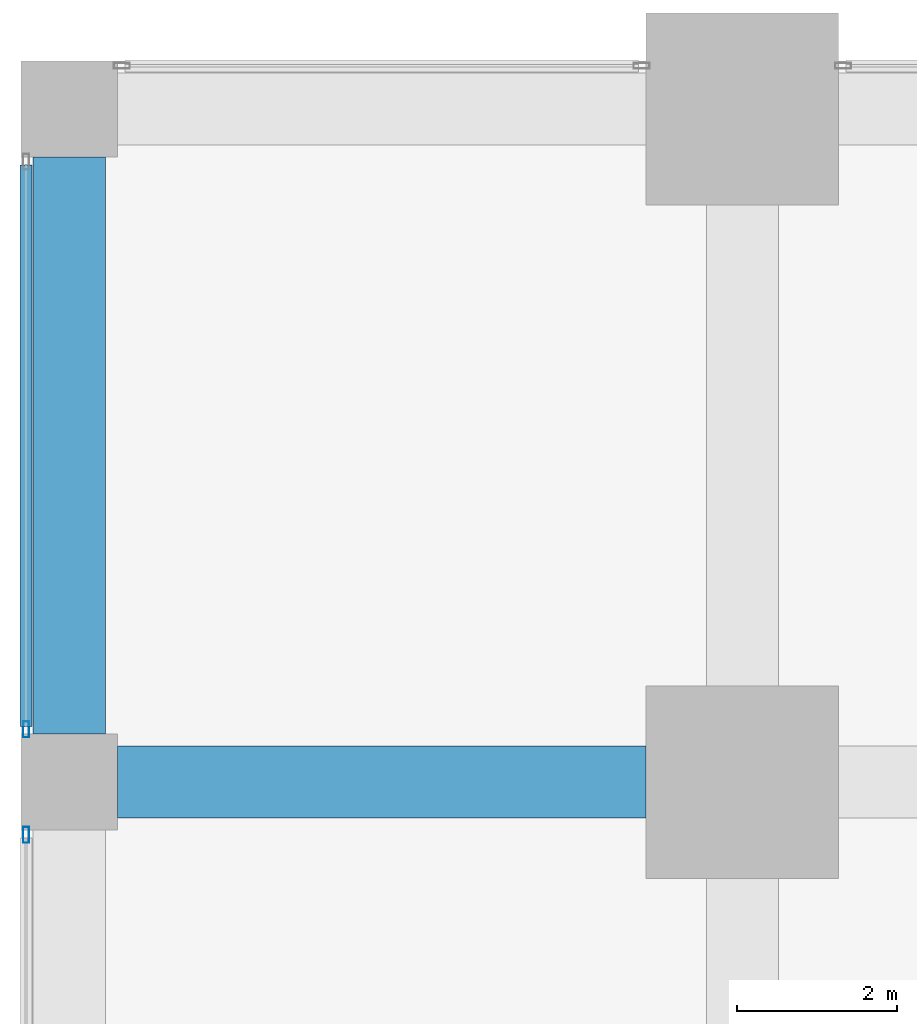
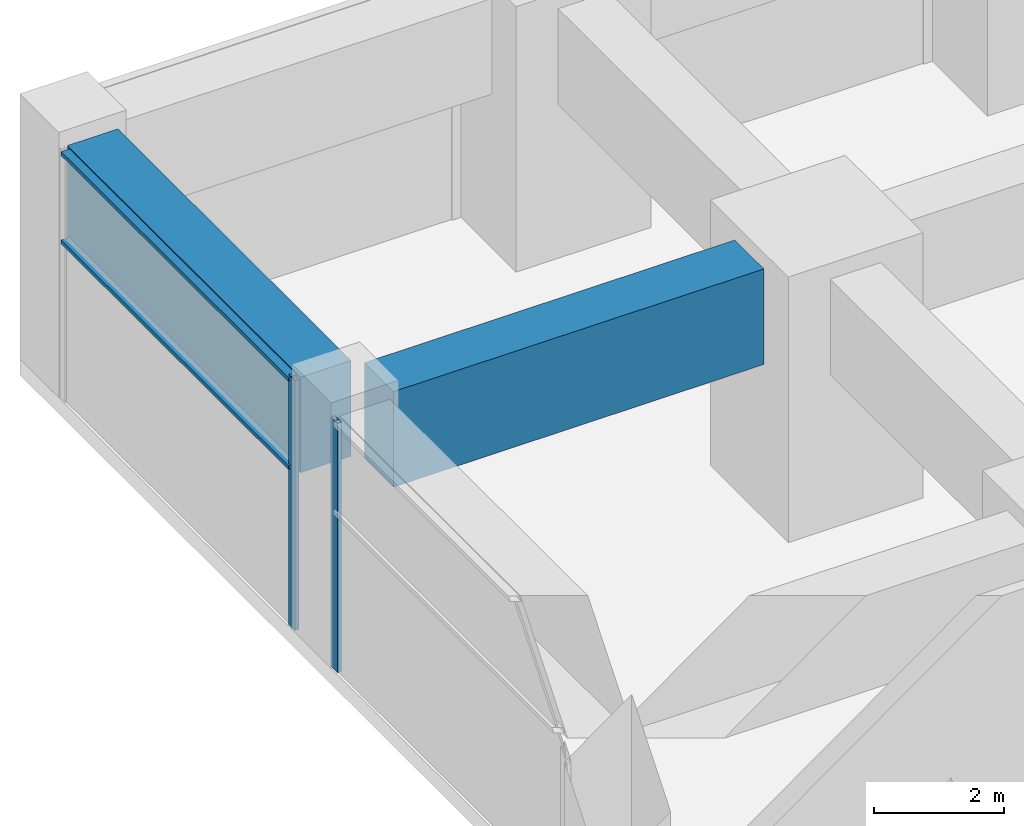
# One storey, part 21 of 48: 4 members, 2 beams, 2 elements without a shape of their own.
"""IFC4 building model written with IfcOpenShell, lengths in metres."""

from ifc_helpers import new_model, si_unit, direction, frame, origin, origin_2d, place, context, subcontext, project, spatial, rectangle, hollow_rectangle, extrude, material, material_profile, profile_set, type_object, element, aggregate, save


model = new_model("IFC4")

# Units and contexts
model_context = context("Model", 3, precision=1e-05, world=origin(), true_north=direction((0.0, 1.0)))
body_context = subcontext(model_context, "Body", "Model", "MODEL_VIEW")
ifc_project = project(units=[si_unit("LENGTHUNIT", "METRE"), si_unit("AREAUNIT", "SQUARE_METRE"), si_unit("VOLUMEUNIT", "CUBIC_METRE"), si_unit("PLANEANGLEUNIT", "RADIAN"), si_unit("MASSUNIT", "GRAM", prefix="KILO")], contexts=[model_context])

# Site, building, storey
site_placement = place(None, origin())
site = spatial("IfcSite", under=ifc_project, at=site_placement, CompositionType="ELEMENT")
building_placement = place(site_placement, origin())
building = spatial("IfcBuilding", under=site, at=building_placement, Name="Rekha Terrace Tower", CompositionType="ELEMENT")
storey_placement = place(building_placement, frame((0.0, 0.0, 15.39990234375)))
storey = spatial("IfcBuildingStorey", under=building, at=storey_placement, Name="L03", CompositionType="ELEMENT", Elevation=15.39990234375)

# Curtain wall, member
ifc_material_1 = material(Name="Aluminium framing", Category="aluminium")
curtain_wall_type = type_object("IfcCurtainWallType", Name="CW4 podium shopfront glazing", PredefinedType="USERDEFINED", material=ifc_material_1)
curtain_wall_1_placement = place(storey_placement, origin())
curtain_wall_1 = element("IfcCurtainWall", 1, at=curtain_wall_1_placement, inside=storey, type_object=curtain_wall_type, Name="CW4 shopfront curtain wall", ObjectType="SHOPFRONT CURTAIN WALL", PredefinedType="USERDEFINED")
ifc_material_2 = material(Name="Aluminium mullion section", Category="aluminium")
ifc_material_profile_1 = material_profile(ifc_material_2, hollow_rectangle(XDim=0.074951171875, YDim=0.199951171875, WallThickness=0.00390625, at=origin_2d()), Name="AL RHS 75x200")
ifc_profile_set_1 = profile_set([ifc_material_profile_1], Name="Aluminium mullion section")
member_type_1 = type_object("IfcMemberType", Name="CW4 mullion RHS 75 x 200", PredefinedType="MULLION", material=ifc_profile_set_1)
member_1_placement = place(storey_placement, frame((-0.5400390625, 51.0576171875, 0.0), z_axis=(0.0, 0.0, 1.0), x_axis=(1.0, 0.0, 0.0)))
member_1 = element("IfcMember", 2, at=member_1_placement, type_object=member_type_1, Name="CW4 mullion 2", PredefinedType="MULLION", context=body_context, shape_type="SweptSolid", body=[
    extrude(hollow_rectangle(XDim=0.074951171875, YDim=0.199951171875, WallThickness=0.00390625, at=origin_2d()), origin(), (0.0, 0.0, 1.0), 4.7001953125),
])

curtain_wall_2_placement = place(storey_placement, origin())
curtain_wall_2 = element("IfcCurtainWall", 3, at=curtain_wall_2_placement, inside=storey, type_object=curtain_wall_type, Name="CW4 shopfront curtain wall", ObjectType="SHOPFRONT CURTAIN WALL", PredefinedType="USERDEFINED")
member_2_placement = place(storey_placement, frame((-0.5400390625, 49.742431640625, 0.0), z_axis=(0.0, 0.0, 1.0), x_axis=(1.0, 0.0, 0.0)))
member_2 = element("IfcMember", 4, at=member_2_placement, type_object=member_type_1, Name="CW4 mullion 1", PredefinedType="MULLION", context=body_context, shape_type="SweptSolid", body=[
    extrude(hollow_rectangle(XDim=0.074951171875, YDim=0.199951171875, WallThickness=0.00390625, at=origin_2d()), origin(), (0.0, 0.0, 1.0), 4.7001953125),
])
aggregate(curtain_wall_2, [member_2])

# Member
ifc_material_3 = material(Name="Aluminium transom section", Category="aluminium")
ifc_material_profile_2 = material_profile(ifc_material_3, hollow_rectangle(XDim=0.14990234375, YDim=0.074951171875, WallThickness=0.0029296875, at=origin_2d()), Name="AL RHS 150x75")
ifc_profile_set_2 = profile_set([ifc_material_profile_2], Name="Aluminium transom section")
member_type_2 = type_object("IfcMemberType", Name="CW4 transom RHS 75 x 150", PredefinedType="USERDEFINED", material=ifc_profile_set_2)
member_3_placement = place(storey_placement, frame((-0.5400390625, 58.10498046875, 3.0), z_axis=(0.0, -1.0, 0.0), x_axis=(1.0, 0.0, 0.0)))
member_3 = element("IfcMember", 5, at=member_3_placement, type_object=member_type_2, Name="CW4 transom 1.2", ObjectType="TRANSOM", PredefinedType="USERDEFINED", context=body_context, shape_type="SweptSolid", body=[
    extrude(hollow_rectangle(XDim=0.14990234375, YDim=0.074951171875, WallThickness=0.0029296875, at=origin_2d()), origin(), (0.0, 0.0, 1.0), 7.010009765625),
])

member_4_placement = place(storey_placement, frame((-0.5400390625, 58.10498046875, 4.66259765625), z_axis=(0.0, -1.0, 0.0), x_axis=(1.0, 0.0, 0.0)))
member_4 = element("IfcMember", 6, at=member_4_placement, type_object=member_type_2, Name="CW4 transom 1.3", ObjectType="TRANSOM", PredefinedType="USERDEFINED", context=body_context, shape_type="SweptSolid", body=[
    extrude(hollow_rectangle(XDim=0.14990234375, YDim=0.074951171875, WallThickness=0.0029296875, at=origin_2d()), origin(), (0.0, 0.0, 1.0), 7.010009765625),
])

aggregate(curtain_wall_1, [member_1, member_3, member_4])

# Beams
ifc_material_4 = material(Name="Concrete M60", Category="concrete")
ifc_material_profile_3 = material_profile(ifc_material_4, rectangle(XDim=0.89990234375, YDim=1.800048828125, at=origin_2d()), Name="RC 900x1800")
ifc_profile_set_3 = profile_set([ifc_material_profile_3], Name="Concrete M60")
beam_type = type_object("IfcBeamType", Name="G1 900x1800 podium floor beam", PredefinedType="BEAM", material=ifc_profile_set_3)
beam_1_placement = place(storey_placement, frame((0.60009765625, 50.39990234375, 3.800048828125), z_axis=(1.0, 0.0, 0.0), x_axis=(0.0, 1.0, 0.0)))
element("IfcBeam", 7, at=beam_1_placement, inside=storey, type_object=beam_type, Name="Beam G1 1G-2G under L04", PredefinedType="BEAM", context=body_context, shape_type="SweptSolid", body=[
    extrude(rectangle(XDim=0.89990234375, YDim=1.800048828125, at=origin_2d()), origin(), (0.0, 0.0, 1.0), 6.599853515625),
])
beam_2_placement = place(storey_placement, frame((0.0, 51.0, 3.800048828125), z_axis=(0.0, 1.0, 0.0), x_axis=(-1.0, 0.0, 0.0)))
element("IfcBeam", 8, at=beam_2_placement, inside=storey, type_object=beam_type, Name="Beam G1 1G-1H under L04", PredefinedType="BEAM", context=body_context, shape_type="SweptSolid", body=[
    extrude(rectangle(XDim=0.89990234375, YDim=1.800048828125, at=origin_2d()), origin(), (0.0, 0.0, 1.0), 7.199951171875),
])

save(model, "model.ifc")
